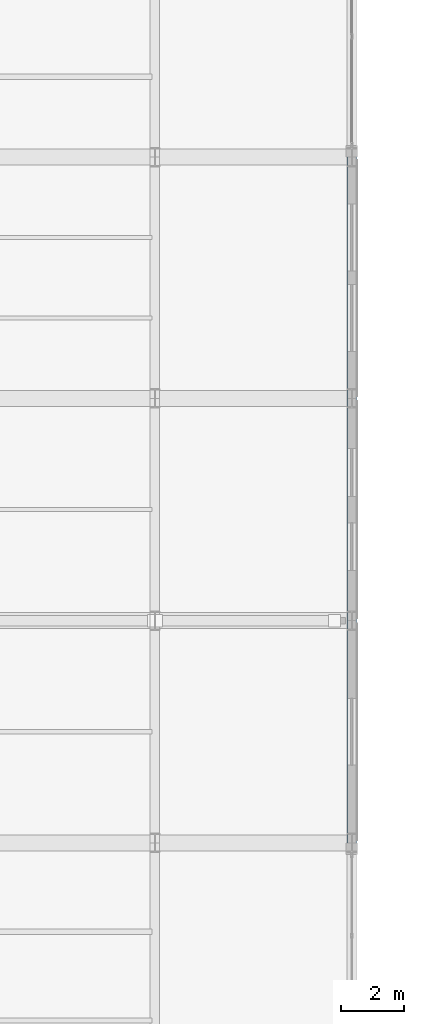
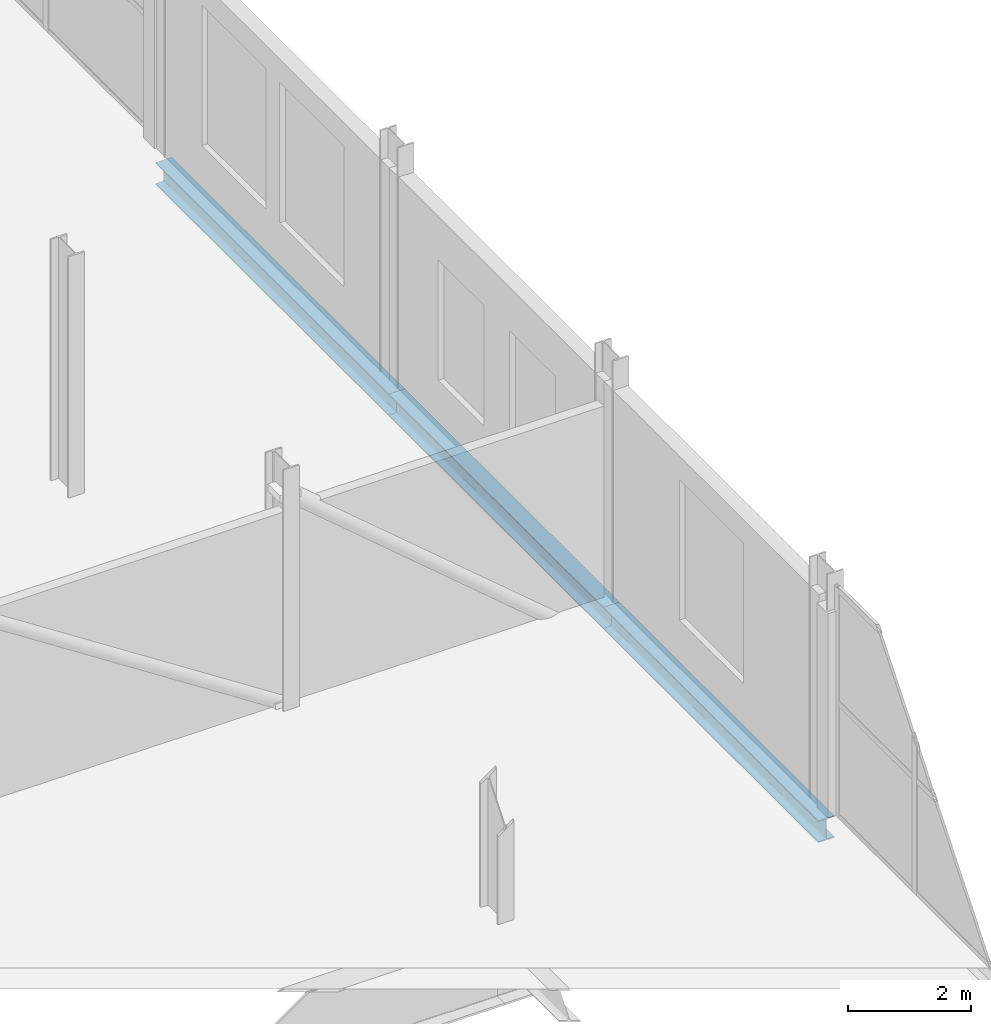
# One storey, part 75 of 120: 3 beams.
"""IFC4 building model written with IfcOpenShell, lengths in metres."""

from ifc_helpers import new_model, si_unit, direction, frame, origin, origin_2d, place, context, subcontext, project, spatial, i_section, extrude, material, material_profile, profile_set, type_object, element, save


model = new_model("IFC4")

# Units and contexts
model_context = context("Model", 3, precision=1e-05, world=origin(), true_north=direction((0.0, 1.0)))
body_context = subcontext(model_context, "Body", "Model", "MODEL_VIEW")
ifc_project = project(units=[si_unit("LENGTHUNIT", "METRE"), si_unit("AREAUNIT", "SQUARE_METRE"), si_unit("VOLUMEUNIT", "CUBIC_METRE"), si_unit("PLANEANGLEUNIT", "RADIAN"), si_unit("MASSUNIT", "GRAM", prefix="KILO")], contexts=[model_context])

# Site, building, storey
site_placement = place(None, origin())
site = spatial("IfcSite", under=ifc_project, at=site_placement, CompositionType="ELEMENT")
building_placement = place(site_placement, origin())
building = spatial("IfcBuilding", under=site, at=building_placement, Name="Vekula Escarpment Museum", CompositionType="ELEMENT")
storey_placement = place(building_placement, frame((0.0, 0.0, 13.199951171875)))
storey = spatial("IfcBuildingStorey", under=building, at=storey_placement, Name="L03", CompositionType="ELEMENT", Elevation=13.199951171875)

# Beams
ifc_material = material(Name="Steel S355", Category="steel")
ifc_material_profile = material_profile(ifc_material, i_section(OverallWidth=0.300048828125, OverallDepth=0.43994140625, WebThickness=0.011474609375, FlangeThickness=0.02099609375, FilletRadius=0.027099609375, at=origin_2d()), Name="HEA 450")
ifc_profile_set = profile_set([ifc_material_profile], Name="Steel S355")
beam_type = type_object("IfcBeamType", Name="BM-SPAN-HEA450", PredefinedType="SPANDREL", material=ifc_profile_set)
for number, where, z_axis, x_axis, name in (
    (1, (198.0, 76.39990234375, -0.5), (0.0, 1.0, 0.0), (-1.0, 0.0, 0.0), "Cumba East Spandrel L03 2377"),
    (2, (198.0, 83.39990234375, -0.5), (0.0, 1.0, 0.0), (-1.0, 0.0, 0.0), "Cumba East Spandrel L03 2378"),
):
    element("IfcBeam", number, at=place(storey_placement, frame(where, z_axis=z_axis, x_axis=x_axis)), inside=storey, type_object=beam_type, Name=name, PredefinedType="SPANDREL", context=body_context, shape_type="SweptSolid", body=[
        extrude(i_section(OverallWidth=0.300048828125, OverallDepth=0.43994140625, WebThickness=0.011474609375, FlangeThickness=0.02099609375, FilletRadius=0.027099609375, at=origin_2d()), origin(), (0.0, 0.0, 1.0), 7.0),
    ])
beam_placement = place(storey_placement, frame((198.0, 90.39990234375, -0.5), z_axis=(0.0, 1.0, 0.0), x_axis=(-1.0, 0.0, 0.0)))
element("IfcBeam", 3, at=beam_placement, inside=storey, type_object=beam_type, Name="Cumba East Spandrel L03 2379", PredefinedType="SPANDREL", context=body_context, shape_type="SweptSolid", body=[
    extrude(i_section(OverallWidth=0.300048828125, OverallDepth=0.43994140625, WebThickness=0.011474609375, FlangeThickness=0.02099609375, FilletRadius=0.027099609375, at=origin_2d()), origin(), (0.0, 0.0, 1.0), 7.60009765625),
])

save(model, "model.ifc")
